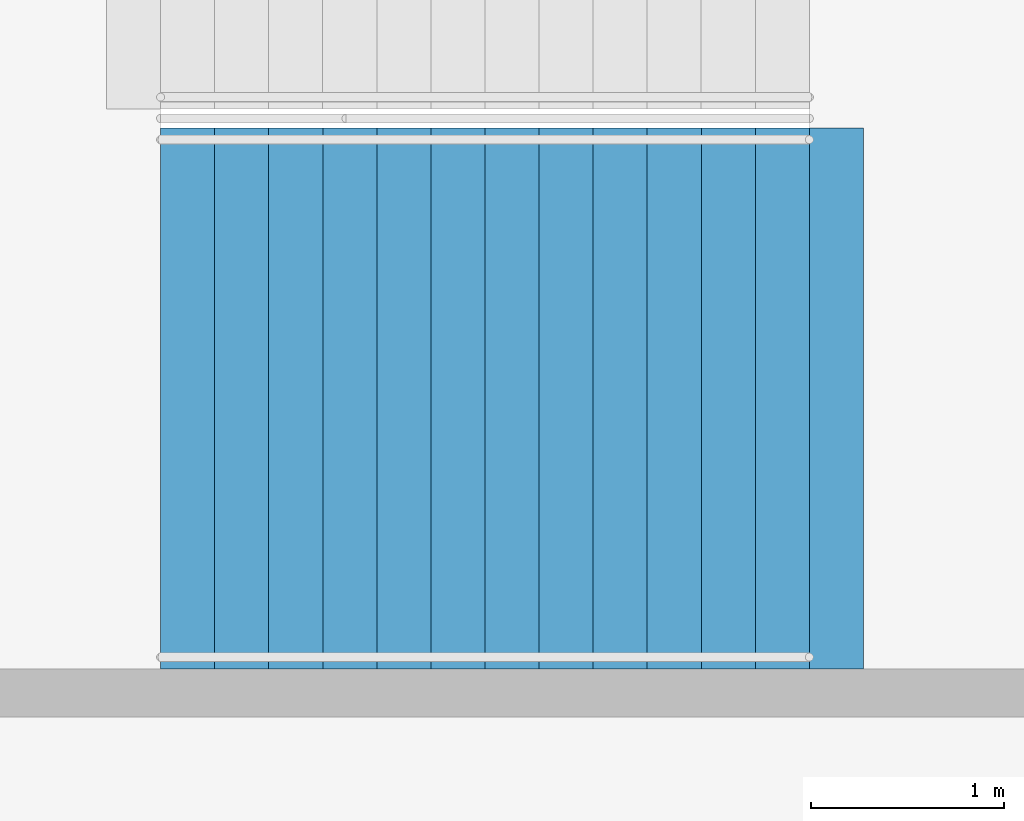
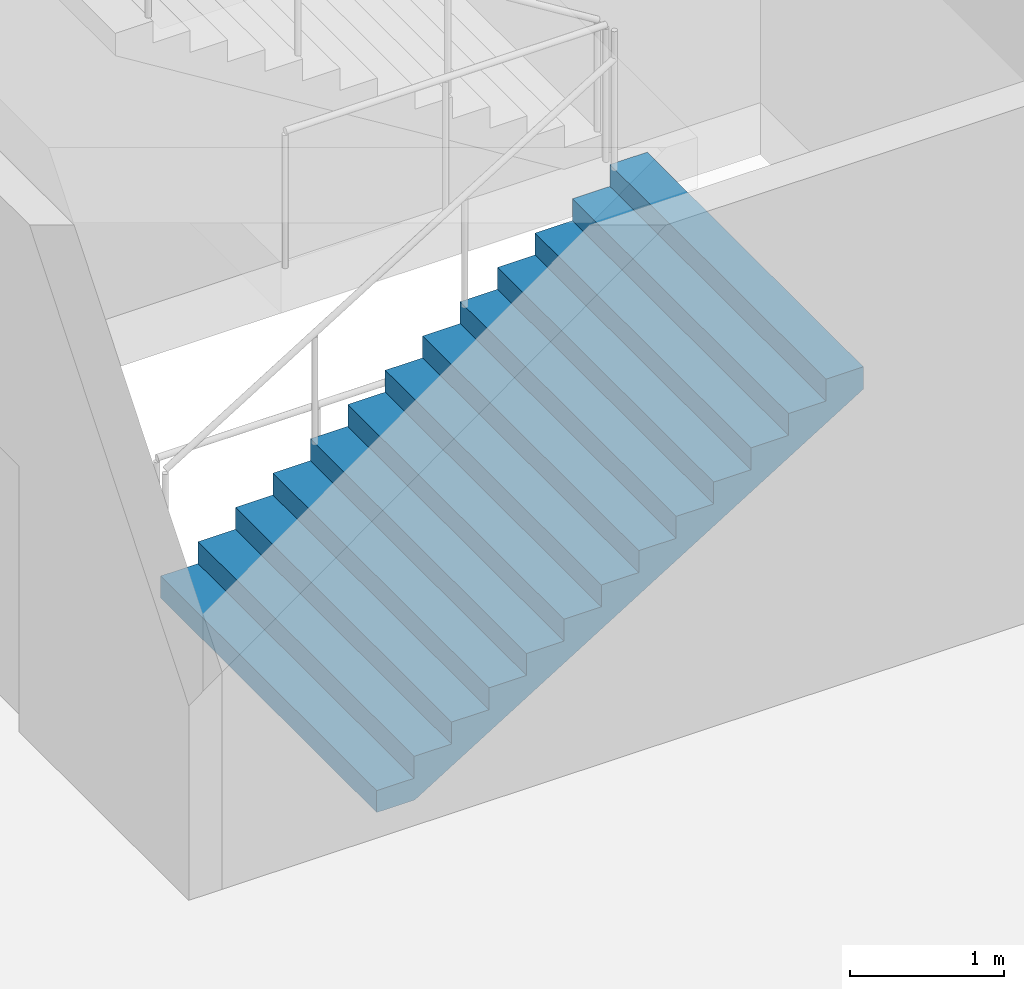
# One storey, part 145 of 199: 1 stair flight, 1 element without a shape of its own.
"""IFC4 building model written with IfcOpenShell, lengths in metres."""

from ifc_helpers import new_model, si_unit, direction, frame, origin, place, context, subcontext, project, spatial, faceted_brep, material, type_object, element, aggregate, save


model = new_model("IFC4")

# Units and contexts
model_context = context("Model", 3, precision=1e-05, world=origin(), true_north=direction((0.0, 1.0)))
body_context = subcontext(model_context, "Body", "Model", "MODEL_VIEW")
ifc_project = project(units=[si_unit("LENGTHUNIT", "METRE"), si_unit("AREAUNIT", "SQUARE_METRE"), si_unit("VOLUMEUNIT", "CUBIC_METRE"), si_unit("PLANEANGLEUNIT", "RADIAN"), si_unit("MASSUNIT", "GRAM", prefix="KILO")], contexts=[model_context])

# Site, building, storey
site_placement = place(None, origin())
site = spatial("IfcSite", under=ifc_project, at=site_placement, CompositionType="ELEMENT")
building_placement = place(site_placement, origin())
building = spatial("IfcBuilding", under=site, at=building_placement, Name="Ogive Plaza Stadium", CompositionType="ELEMENT")
storey_placement = place(building_placement, frame((0.0, 0.0, 4.5)))
storey = spatial("IfcBuildingStorey", under=building, at=storey_placement, Name="L01", CompositionType="ELEMENT", Elevation=4.5)

# Stair, stair flight
ifc_material_1 = material(Name="Concrete C40/50", Category="concrete")
stair_type = type_object("IfcStairType", Name="Exit stair", PredefinedType="STRAIGHT_RUN_STAIR", material=ifc_material_1)
stair_placement = place(storey_placement, origin())
stair = element("IfcStair", 1, at=stair_placement, inside=storey, type_object=stair_type, Name="Exit stair ST06A L01 to L02", PredefinedType="STRAIGHT_RUN_STAIR")
ifc_material_2 = material(Name="Concrete C40/50", Category="concrete")
stair_flight_type = type_object("IfcStairFlightType", Name="Exit stair flight", PredefinedType="STRAIGHT", material=ifc_material_2)
stair_flight_placement = place(storey_placement, frame((76.35009765625, -26.925048828125, 0.0), z_axis=(0.0, 0.0, 1.0), x_axis=(1.0, 0.0, 0.0)))
stair_flight = element("IfcStairFlight", 2, at=stair_flight_placement, type_object=stair_flight_type, Name="ST06A flight 1", NumberOfRisers=13, NumberOfTreads=12, PredefinedType="STRAIGHT", RiserHeight=0.173076923, TreadLength=0.28, context=body_context, shape_type="Brep", body=[
    faceted_brep([(0.28515625, -1.39990234375, 0.0), (3.639892578125, -1.39990234375, 2.07373046875), (3.639892578125, -1.39990234375, 2.25), (3.360107421875, -1.39990234375, 2.25), (3.360107421875, -1.39990234375, 2.076904296875), (3.080078125, -1.39990234375, 2.076904296875), (3.080078125, -1.39990234375, 1.90380859375), (2.800048828125, -1.39990234375, 1.90380859375), (2.800048828125, -1.39990234375, 1.730712890625), (2.52001953125, -1.39990234375, 1.730712890625), (2.52001953125, -1.39990234375, 1.5576171875), (2.239990234375, -1.39990234375, 1.5576171875), (2.239990234375, -1.39990234375, 1.384521484375), (1.9599609375, -1.39990234375, 1.384521484375), (1.9599609375, -1.39990234375, 1.21142578125), (1.679931640625, -1.39990234375, 1.21142578125), (1.679931640625, -1.39990234375, 1.03857421875), (1.39990234375, -1.39990234375, 1.03857421875), (1.39990234375, -1.39990234375, 0.865478515625), (1.1201171875, -1.39990234375, 0.865478515625), (1.1201171875, -1.39990234375, 0.6923828125), (0.840087890625, -1.39990234375, 0.6923828125), (0.840087890625, -1.39990234375, 0.519287109375), (0.56005859375, -1.39990234375, 0.519287109375), (0.56005859375, -1.39990234375, 0.34619140625), (0.280029296875, -1.39990234375, 0.34619140625), (0.280029296875, -1.39990234375, 0.173095703125), (0.0, -1.39990234375, 0.173095703125), (0.0, -1.39990234375, 0.0), (0.0, 1.39990234375, 0.0), (0.0, 1.39990234375, 0.173095703125), (0.280029296875, 1.39990234375, 0.173095703125), (0.280029296875, 1.39990234375, 0.34619140625), (0.56005859375, 1.39990234375, 0.34619140625), (0.56005859375, 1.39990234375, 0.519287109375), (0.840087890625, 1.39990234375, 0.519287109375), (0.840087890625, 1.39990234375, 0.6923828125), (1.1201171875, 1.39990234375, 0.6923828125), (1.1201171875, 1.39990234375, 0.865478515625), (1.39990234375, 1.39990234375, 0.865478515625), (1.39990234375, 1.39990234375, 1.03857421875), (1.679931640625, 1.39990234375, 1.03857421875), (1.679931640625, 1.39990234375, 1.21142578125), (1.9599609375, 1.39990234375, 1.21142578125), (1.9599609375, 1.39990234375, 1.384521484375), (2.239990234375, 1.39990234375, 1.384521484375), (2.239990234375, 1.39990234375, 1.5576171875), (2.52001953125, 1.39990234375, 1.5576171875), (2.52001953125, 1.39990234375, 1.730712890625), (2.800048828125, 1.39990234375, 1.730712890625), (2.800048828125, 1.39990234375, 1.90380859375), (3.080078125, 1.39990234375, 1.90380859375), (3.080078125, 1.39990234375, 2.076904296875), (3.360107421875, 1.39990234375, 2.076904296875), (3.360107421875, 1.39990234375, 2.25), (3.639892578125, 1.39990234375, 2.25), (3.639892578125, 1.39990234375, 2.07373046875), (0.28515625, 1.39990234375, 0.0), (0.28515625, -1.0888671875, 0.0), (3.639892578125, -1.0888671875, 2.07373046875), (0.28515625, -0.77783203125, 0.0), (3.639892578125, -0.77783203125, 2.07373046875), (0.28515625, -0.466796875, 0.0), (3.639892578125, -0.466796875, 2.07373046875), (0.28515625, -0.155517578125, 0.0), (3.639892578125, -0.155517578125, 2.07373046875), (0.28515625, 0.155517578125, 0.0), (3.639892578125, 0.155517578125, 2.07373046875), (0.28515625, 0.466796875, 0.0), (3.639892578125, 0.466796875, 2.07373046875), (0.28515625, 0.77783203125, 0.0), (3.639892578125, 0.77783203125, 2.07373046875), (0.28515625, 1.0888671875, 0.0), (3.639892578125, 1.0888671875, 2.07373046875), (3.639892578125, -1.0888671875, 2.25), (3.639892578125, -0.77783203125, 2.25), (3.639892578125, -0.466796875, 2.25), (3.639892578125, -0.155517578125, 2.25), (3.639892578125, 0.155517578125, 2.25), (3.639892578125, 0.466796875, 2.25), (3.639892578125, 0.77783203125, 2.25), (3.639892578125, 1.0888671875, 2.25), (3.360107421875, -1.0888671875, 2.25), (3.360107421875, -0.77783203125, 2.25), (3.360107421875, -0.466796875, 2.25), (3.360107421875, -0.155517578125, 2.25), (3.360107421875, 0.155517578125, 2.25), (3.360107421875, 0.466796875, 2.25), (3.360107421875, 0.77783203125, 2.25), (3.360107421875, 1.0888671875, 2.25), (3.360107421875, -1.0888671875, 2.076904296875), (3.360107421875, -0.77783203125, 2.076904296875), (3.360107421875, -0.466796875, 2.076904296875), (3.360107421875, -0.155517578125, 2.076904296875), (3.360107421875, 0.155517578125, 2.076904296875), (3.360107421875, 0.466796875, 2.076904296875), (3.360107421875, 0.77783203125, 2.076904296875), (3.360107421875, 1.0888671875, 2.076904296875), (3.080078125, -1.0888671875, 2.076904296875), (3.080078125, -0.77783203125, 2.076904296875), (3.080078125, -0.466796875, 2.076904296875), (3.080078125, -0.155517578125, 2.076904296875), (3.080078125, 0.155517578125, 2.076904296875), (3.080078125, 0.466796875, 2.076904296875), (3.080078125, 0.77783203125, 2.076904296875), (3.080078125, 1.0888671875, 2.076904296875), (3.080078125, -1.0888671875, 1.90380859375), (3.080078125, -0.77783203125, 1.90380859375), (3.080078125, -0.466796875, 1.90380859375), (3.080078125, -0.155517578125, 1.90380859375), (3.080078125, 0.155517578125, 1.90380859375), (3.080078125, 0.466796875, 1.90380859375), (3.080078125, 0.77783203125, 1.90380859375), (3.080078125, 1.0888671875, 1.90380859375), (2.800048828125, -1.0888671875, 1.90380859375), (2.800048828125, -0.77783203125, 1.90380859375), (2.800048828125, -0.466796875, 1.90380859375), (2.800048828125, -0.155517578125, 1.90380859375), (2.800048828125, 0.155517578125, 1.90380859375), (2.800048828125, 0.466796875, 1.90380859375), (2.800048828125, 0.77783203125, 1.90380859375), (2.800048828125, 1.0888671875, 1.90380859375), (2.800048828125, -1.0888671875, 1.730712890625), (2.800048828125, -0.77783203125, 1.730712890625), (2.800048828125, -0.466796875, 1.730712890625), (2.800048828125, -0.155517578125, 1.730712890625), (2.800048828125, 0.155517578125, 1.730712890625), (2.800048828125, 0.466796875, 1.730712890625), (2.800048828125, 0.77783203125, 1.730712890625), (2.800048828125, 1.0888671875, 1.730712890625), (2.52001953125, -1.0888671875, 1.730712890625), (2.52001953125, -0.77783203125, 1.730712890625), (2.52001953125, -0.466796875, 1.730712890625), (2.52001953125, -0.155517578125, 1.730712890625), (2.52001953125, 0.155517578125, 1.730712890625), (2.52001953125, 0.466796875, 1.730712890625), (2.52001953125, 0.77783203125, 1.730712890625), (2.52001953125, 1.0888671875, 1.730712890625), (2.52001953125, -1.0888671875, 1.5576171875), (2.52001953125, -0.77783203125, 1.5576171875), (2.52001953125, -0.466796875, 1.5576171875), (2.52001953125, -0.155517578125, 1.5576171875), (2.52001953125, 0.155517578125, 1.5576171875), (2.52001953125, 0.466796875, 1.5576171875), (2.52001953125, 0.77783203125, 1.5576171875), (2.52001953125, 1.0888671875, 1.5576171875), (2.239990234375, -1.0888671875, 1.5576171875), (2.239990234375, -0.77783203125, 1.5576171875), (2.239990234375, -0.466796875, 1.5576171875), (2.239990234375, -0.155517578125, 1.5576171875), (2.239990234375, 0.155517578125, 1.5576171875), (2.239990234375, 0.466796875, 1.5576171875), (2.239990234375, 0.77783203125, 1.5576171875), (2.239990234375, 1.0888671875, 1.5576171875), (2.239990234375, -1.0888671875, 1.384521484375), (2.239990234375, -0.77783203125, 1.384521484375), (2.239990234375, -0.466796875, 1.384521484375), (2.239990234375, -0.155517578125, 1.384521484375), (2.239990234375, 0.155517578125, 1.384521484375), (2.239990234375, 0.466796875, 1.384521484375), (2.239990234375, 0.77783203125, 1.384521484375), (2.239990234375, 1.0888671875, 1.384521484375), (1.9599609375, -1.0888671875, 1.384521484375), (1.9599609375, -0.77783203125, 1.384521484375), (1.9599609375, -0.466796875, 1.384521484375), (1.9599609375, -0.155517578125, 1.384521484375), (1.9599609375, 0.155517578125, 1.384521484375), (1.9599609375, 0.466796875, 1.384521484375), (1.9599609375, 0.77783203125, 1.384521484375), (1.9599609375, 1.0888671875, 1.384521484375), (1.9599609375, -1.0888671875, 1.21142578125), (1.9599609375, -0.77783203125, 1.21142578125), (1.9599609375, -0.466796875, 1.21142578125), (1.9599609375, -0.155517578125, 1.21142578125), (1.9599609375, 0.155517578125, 1.21142578125), (1.9599609375, 0.466796875, 1.21142578125), (1.9599609375, 0.77783203125, 1.21142578125), (1.9599609375, 1.0888671875, 1.21142578125), (1.679931640625, -1.0888671875, 1.21142578125), (1.679931640625, -0.77783203125, 1.21142578125), (1.679931640625, -0.466796875, 1.21142578125), (1.679931640625, -0.155517578125, 1.21142578125), (1.679931640625, 0.155517578125, 1.21142578125), (1.679931640625, 0.466796875, 1.21142578125), (1.679931640625, 0.77783203125, 1.21142578125), (1.679931640625, 1.0888671875, 1.21142578125), (1.679931640625, -1.0888671875, 1.03857421875), (1.679931640625, -0.77783203125, 1.03857421875), (1.679931640625, -0.466796875, 1.03857421875), (1.679931640625, -0.155517578125, 1.03857421875), (1.679931640625, 0.155517578125, 1.03857421875), (1.679931640625, 0.466796875, 1.03857421875), (1.679931640625, 0.77783203125, 1.03857421875), (1.679931640625, 1.0888671875, 1.03857421875), (1.39990234375, -1.0888671875, 1.03857421875), (1.39990234375, -0.77783203125, 1.03857421875), (1.39990234375, -0.466796875, 1.03857421875), (1.39990234375, -0.155517578125, 1.03857421875), (1.39990234375, 0.155517578125, 1.03857421875), (1.39990234375, 0.466796875, 1.03857421875), (1.39990234375, 0.77783203125, 1.03857421875), (1.39990234375, 1.0888671875, 1.03857421875), (1.39990234375, -1.0888671875, 0.865478515625), (1.39990234375, -0.77783203125, 0.865478515625), (1.39990234375, -0.466796875, 0.865478515625), (1.39990234375, -0.155517578125, 0.865478515625), (1.39990234375, 0.155517578125, 0.865478515625), (1.39990234375, 0.466796875, 0.865478515625), (1.39990234375, 0.77783203125, 0.865478515625), (1.39990234375, 1.0888671875, 0.865478515625), (1.1201171875, -1.0888671875, 0.865478515625), (1.1201171875, -0.77783203125, 0.865478515625), (1.1201171875, -0.466796875, 0.865478515625), (1.1201171875, -0.155517578125, 0.865478515625), (1.1201171875, 0.155517578125, 0.865478515625), (1.1201171875, 0.466796875, 0.865478515625), (1.1201171875, 0.77783203125, 0.865478515625), (1.1201171875, 1.0888671875, 0.865478515625), (1.1201171875, -1.0888671875, 0.6923828125), (1.1201171875, -0.77783203125, 0.6923828125), (1.1201171875, -0.466796875, 0.6923828125), (1.1201171875, -0.155517578125, 0.6923828125), (1.1201171875, 0.155517578125, 0.6923828125), (1.1201171875, 0.466796875, 0.6923828125), (1.1201171875, 0.77783203125, 0.6923828125), (1.1201171875, 1.0888671875, 0.6923828125), (0.840087890625, -1.0888671875, 0.6923828125), (0.840087890625, -0.77783203125, 0.6923828125), (0.840087890625, -0.466796875, 0.6923828125), (0.840087890625, -0.155517578125, 0.6923828125), (0.840087890625, 0.155517578125, 0.6923828125), (0.840087890625, 0.466796875, 0.6923828125), (0.840087890625, 0.77783203125, 0.6923828125), (0.840087890625, 1.0888671875, 0.6923828125), (0.840087890625, -1.0888671875, 0.519287109375), (0.840087890625, -0.77783203125, 0.519287109375), (0.840087890625, -0.466796875, 0.519287109375), (0.840087890625, -0.155517578125, 0.519287109375), (0.840087890625, 0.155517578125, 0.519287109375), (0.840087890625, 0.466796875, 0.519287109375), (0.840087890625, 0.77783203125, 0.519287109375), (0.840087890625, 1.0888671875, 0.519287109375), (0.56005859375, -1.0888671875, 0.519287109375), (0.56005859375, -0.77783203125, 0.519287109375), (0.56005859375, -0.466796875, 0.519287109375), (0.56005859375, -0.155517578125, 0.519287109375), (0.56005859375, 0.155517578125, 0.519287109375), (0.56005859375, 0.466796875, 0.519287109375), (0.56005859375, 0.77783203125, 0.519287109375), (0.56005859375, 1.0888671875, 0.519287109375), (0.56005859375, -1.0888671875, 0.34619140625), (0.56005859375, -0.77783203125, 0.34619140625), (0.56005859375, -0.466796875, 0.34619140625), (0.56005859375, -0.155517578125, 0.34619140625), (0.56005859375, 0.155517578125, 0.34619140625), (0.56005859375, 0.466796875, 0.34619140625), (0.56005859375, 0.77783203125, 0.34619140625), (0.56005859375, 1.0888671875, 0.34619140625), (0.280029296875, -1.0888671875, 0.34619140625), (0.280029296875, -0.77783203125, 0.34619140625), (0.280029296875, -0.466796875, 0.34619140625), (0.280029296875, -0.155517578125, 0.34619140625), (0.280029296875, 0.155517578125, 0.34619140625), (0.280029296875, 0.466796875, 0.34619140625), (0.280029296875, 0.77783203125, 0.34619140625), (0.280029296875, 1.0888671875, 0.34619140625), (0.280029296875, -1.0888671875, 0.173095703125), (0.280029296875, -0.77783203125, 0.173095703125), (0.280029296875, -0.466796875, 0.173095703125), (0.280029296875, -0.155517578125, 0.173095703125), (0.280029296875, 0.155517578125, 0.173095703125), (0.280029296875, 0.466796875, 0.173095703125), (0.280029296875, 0.77783203125, 0.173095703125), (0.280029296875, 1.0888671875, 0.173095703125), (0.0, -1.0888671875, 0.173095703125), (0.0, -0.77783203125, 0.173095703125), (0.0, -0.466796875, 0.173095703125), (0.0, -0.155517578125, 0.173095703125), (0.0, 0.155517578125, 0.173095703125), (0.0, 0.466796875, 0.173095703125), (0.0, 0.77783203125, 0.173095703125), (0.0, 1.0888671875, 0.173095703125), (0.0, -1.0888671875, 0.0), (0.0, -0.77783203125, 0.0), (0.0, -0.466796875, 0.0), (0.0, -0.155517578125, 0.0), (0.0, 0.155517578125, 0.0), (0.0, 0.466796875, 0.0), (0.0, 0.77783203125, 0.0), (0.0, 1.0888671875, 0.0)], [[[0, 1, 2, 3, 4, 5, 6, 7, 8, 9, 10, 11, 12, 13, 14, 15, 16, 17, 18, 19, 20, 21, 22, 23, 24, 25, 26, 27, 28]], [[29, 30, 31, 32, 33, 34, 35, 36, 37, 38, 39, 40, 41, 42, 43, 44, 45, 46, 47, 48, 49, 50, 51, 52, 53, 54, 55, 56, 57]], [[0, 58, 59, 1]], [[58, 60, 61, 59]], [[60, 62, 63, 61]], [[62, 64, 65, 63]], [[64, 66, 67, 65]], [[66, 68, 69, 67]], [[68, 70, 71, 69]], [[70, 72, 73, 71]], [[72, 57, 56, 73]], [[1, 59, 74, 2]], [[59, 61, 75, 74]], [[61, 63, 76, 75]], [[63, 65, 77, 76]], [[65, 67, 78, 77]], [[67, 69, 79, 78]], [[69, 71, 80, 79]], [[71, 73, 81, 80]], [[73, 56, 55, 81]], [[2, 74, 82, 3]], [[74, 75, 83, 82]], [[75, 76, 84, 83]], [[76, 77, 85, 84]], [[77, 78, 86, 85]], [[78, 79, 87, 86]], [[79, 80, 88, 87]], [[80, 81, 89, 88]], [[81, 55, 54, 89]], [[3, 82, 90, 4]], [[82, 83, 91, 90]], [[83, 84, 92, 91]], [[84, 85, 93, 92]], [[85, 86, 94, 93]], [[86, 87, 95, 94]], [[87, 88, 96, 95]], [[88, 89, 97, 96]], [[89, 54, 53, 97]], [[4, 90, 98, 5]], [[90, 91, 99, 98]], [[91, 92, 100, 99]], [[92, 93, 101, 100]], [[93, 94, 102, 101]], [[94, 95, 103, 102]], [[95, 96, 104, 103]], [[96, 97, 105, 104]], [[97, 53, 52, 105]], [[5, 98, 106, 6]], [[98, 99, 107, 106]], [[99, 100, 108, 107]], [[100, 101, 109, 108]], [[101, 102, 110, 109]], [[102, 103, 111, 110]], [[103, 104, 112, 111]], [[104, 105, 113, 112]], [[105, 52, 51, 113]], [[6, 106, 114, 7]], [[106, 107, 115, 114]], [[107, 108, 116, 115]], [[108, 109, 117, 116]], [[109, 110, 118, 117]], [[110, 111, 119, 118]], [[111, 112, 120, 119]], [[112, 113, 121, 120]], [[113, 51, 50, 121]], [[7, 114, 122, 8]], [[114, 115, 123, 122]], [[115, 116, 124, 123]], [[116, 117, 125, 124]], [[117, 118, 126, 125]], [[118, 119, 127, 126]], [[119, 120, 128, 127]], [[120, 121, 129, 128]], [[121, 50, 49, 129]], [[8, 122, 130, 9]], [[122, 123, 131, 130]], [[123, 124, 132, 131]], [[124, 125, 133, 132]], [[125, 126, 134, 133]], [[126, 127, 135, 134]], [[127, 128, 136, 135]], [[128, 129, 137, 136]], [[129, 49, 48, 137]], [[9, 130, 138, 10]], [[130, 131, 139, 138]], [[131, 132, 140, 139]], [[132, 133, 141, 140]], [[133, 134, 142, 141]], [[134, 135, 143, 142]], [[135, 136, 144, 143]], [[136, 137, 145, 144]], [[137, 48, 47, 145]], [[10, 138, 146, 11]], [[138, 139, 147, 146]], [[139, 140, 148, 147]], [[140, 141, 149, 148]], [[141, 142, 150, 149]], [[142, 143, 151, 150]], [[143, 144, 152, 151]], [[144, 145, 153, 152]], [[145, 47, 46, 153]], [[11, 146, 154, 12]], [[146, 147, 155, 154]], [[147, 148, 156, 155]], [[148, 149, 157, 156]], [[149, 150, 158, 157]], [[150, 151, 159, 158]], [[151, 152, 160, 159]], [[152, 153, 161, 160]], [[153, 46, 45, 161]], [[12, 154, 162, 13]], [[154, 155, 163, 162]], [[155, 156, 164, 163]], [[156, 157, 165, 164]], [[157, 158, 166, 165]], [[158, 159, 167, 166]], [[159, 160, 168, 167]], [[160, 161, 169, 168]], [[161, 45, 44, 169]], [[13, 162, 170, 14]], [[162, 163, 171, 170]], [[163, 164, 172, 171]], [[164, 165, 173, 172]], [[165, 166, 174, 173]], [[166, 167, 175, 174]], [[167, 168, 176, 175]], [[168, 169, 177, 176]], [[169, 44, 43, 177]], [[14, 170, 178, 15]], [[170, 171, 179, 178]], [[171, 172, 180, 179]], [[172, 173, 181, 180]], [[173, 174, 182, 181]], [[174, 175, 183, 182]], [[175, 176, 184, 183]], [[176, 177, 185, 184]], [[177, 43, 42, 185]], [[15, 178, 186, 16]], [[178, 179, 187, 186]], [[179, 180, 188, 187]], [[180, 181, 189, 188]], [[181, 182, 190, 189]], [[182, 183, 191, 190]], [[183, 184, 192, 191]], [[184, 185, 193, 192]], [[185, 42, 41, 193]], [[16, 186, 194, 17]], [[186, 187, 195, 194]], [[187, 188, 196, 195]], [[188, 189, 197, 196]], [[189, 190, 198, 197]], [[190, 191, 199, 198]], [[191, 192, 200, 199]], [[192, 193, 201, 200]], [[193, 41, 40, 201]], [[17, 194, 202, 18]], [[194, 195, 203, 202]], [[195, 196, 204, 203]], [[196, 197, 205, 204]], [[197, 198, 206, 205]], [[198, 199, 207, 206]], [[199, 200, 208, 207]], [[200, 201, 209, 208]], [[201, 40, 39, 209]], [[18, 202, 210, 19]], [[202, 203, 211, 210]], [[203, 204, 212, 211]], [[204, 205, 213, 212]], [[205, 206, 214, 213]], [[206, 207, 215, 214]], [[207, 208, 216, 215]], [[208, 209, 217, 216]], [[209, 39, 38, 217]], [[19, 210, 218, 20]], [[210, 211, 219, 218]], [[211, 212, 220, 219]], [[212, 213, 221, 220]], [[213, 214, 222, 221]], [[214, 215, 223, 222]], [[215, 216, 224, 223]], [[216, 217, 225, 224]], [[217, 38, 37, 225]], [[20, 218, 226, 21]], [[218, 219, 227, 226]], [[219, 220, 228, 227]], [[220, 221, 229, 228]], [[221, 222, 230, 229]], [[222, 223, 231, 230]], [[223, 224, 232, 231]], [[224, 225, 233, 232]], [[225, 37, 36, 233]], [[21, 226, 234, 22]], [[226, 227, 235, 234]], [[227, 228, 236, 235]], [[228, 229, 237, 236]], [[229, 230, 238, 237]], [[230, 231, 239, 238]], [[231, 232, 240, 239]], [[232, 233, 241, 240]], [[233, 36, 35, 241]], [[22, 234, 242, 23]], [[234, 235, 243, 242]], [[235, 236, 244, 243]], [[236, 237, 245, 244]], [[237, 238, 246, 245]], [[238, 239, 247, 246]], [[239, 240, 248, 247]], [[240, 241, 249, 248]], [[241, 35, 34, 249]], [[23, 242, 250, 24]], [[242, 243, 251, 250]], [[243, 244, 252, 251]], [[244, 245, 253, 252]], [[245, 246, 254, 253]], [[246, 247, 255, 254]], [[247, 248, 256, 255]], [[248, 249, 257, 256]], [[249, 34, 33, 257]], [[24, 250, 258, 25]], [[250, 251, 259, 258]], [[251, 252, 260, 259]], [[252, 253, 261, 260]], [[253, 254, 262, 261]], [[254, 255, 263, 262]], [[255, 256, 264, 263]], [[256, 257, 265, 264]], [[257, 33, 32, 265]], [[25, 258, 266, 26]], [[258, 259, 267, 266]], [[259, 260, 268, 267]], [[260, 261, 269, 268]], [[261, 262, 270, 269]], [[262, 263, 271, 270]], [[263, 264, 272, 271]], [[264, 265, 273, 272]], [[265, 32, 31, 273]], [[26, 266, 274, 27]], [[266, 267, 275, 274]], [[267, 268, 276, 275]], [[268, 269, 277, 276]], [[269, 270, 278, 277]], [[270, 271, 279, 278]], [[271, 272, 280, 279]], [[272, 273, 281, 280]], [[273, 31, 30, 281]], [[27, 274, 282, 28]], [[274, 275, 283, 282]], [[275, 276, 284, 283]], [[276, 277, 285, 284]], [[277, 278, 286, 285]], [[278, 279, 287, 286]], [[279, 280, 288, 287]], [[280, 281, 289, 288]], [[281, 30, 29, 289]], [[28, 282, 58, 0]], [[282, 283, 60, 58]], [[283, 284, 62, 60]], [[284, 285, 64, 62]], [[285, 286, 66, 64]], [[286, 287, 68, 66]], [[287, 288, 70, 68]], [[288, 289, 72, 70]], [[289, 29, 57, 72]]]),
])
aggregate(stair, [stair_flight])

save(model, "model.ifc")
